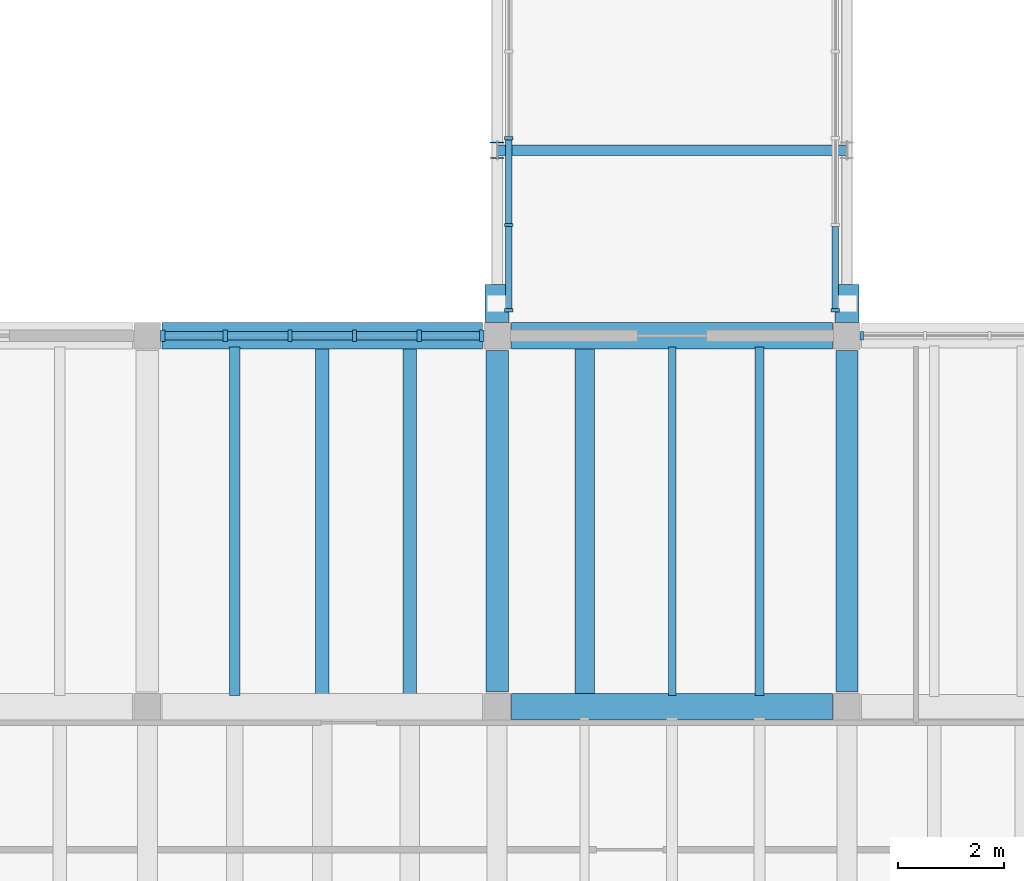
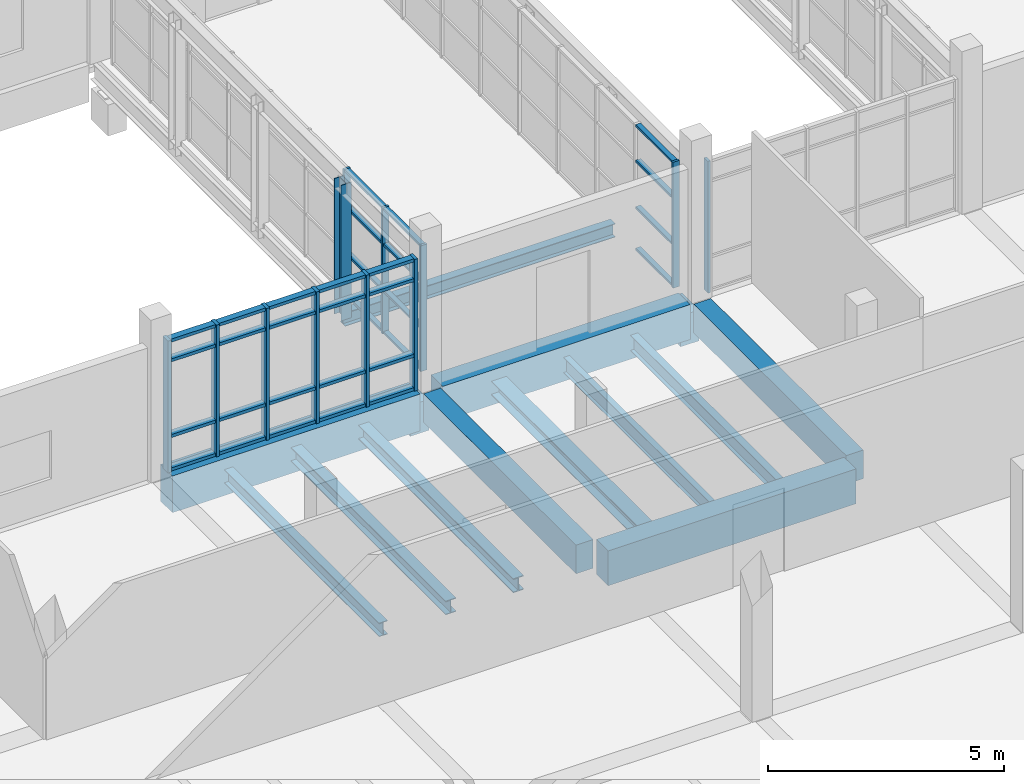
# One storey, part 17 of 65: 44 members, 14 beams, 4 elements without a shape of their own.
"""IFC4 building model written with IfcOpenShell, lengths in metres."""

from ifc_helpers import new_model, si_unit, direction, frame, origin, origin_2d, place, context, subcontext, project, spatial, rectangle, i_section, extrude, material, material_profile, profile_set, type_object, element, aggregate, save


model = new_model("IFC4")

# Units and contexts
model_context = context("Model", 3, precision=1e-05, world=origin(), true_north=direction((0.0, 1.0)))
body_context = subcontext(model_context, "Body", "Model", "MODEL_VIEW")
ifc_project = project(units=[si_unit("LENGTHUNIT", "METRE"), si_unit("AREAUNIT", "SQUARE_METRE"), si_unit("VOLUMEUNIT", "CUBIC_METRE"), si_unit("PLANEANGLEUNIT", "RADIAN"), si_unit("MASSUNIT", "GRAM", prefix="KILO")], contexts=[model_context])

# Site, building, storey
site_placement = place(None, origin())
site = spatial("IfcSite", under=ifc_project, at=site_placement, CompositionType="ELEMENT")
building_placement = place(site_placement, origin())
building = spatial("IfcBuilding", under=site, at=building_placement, Name="Ciguamira Faculty of Natural Sciences", CompositionType="ELEMENT")
storey_placement = place(building_placement, frame((0.0, 0.0, 12.60009765625)))
storey = spatial("IfcBuildingStorey", under=building, at=storey_placement, Name="L03", CompositionType="ELEMENT", Elevation=12.60009765625)

# Curtain wall, member
ifc_material_1 = material(Name="Anodized aluminium curtain wall", Category="aluminium")
curtain_wall_type_1 = type_object("IfcCurtainWallType", Name="CurtainWall_CW-07", PredefinedType="USERDEFINED", material=ifc_material_1)
curtain_wall_1_placement = place(storey_placement, origin())
curtain_wall_1 = element("IfcCurtainWall", 1, at=curtain_wall_1_placement, inside=storey, type_object=curtain_wall_type_1, Name="L03 unitised curtain wall 0091", ObjectType="UNITISED CURTAIN WALL", PredefinedType="USERDEFINED")
ifc_material_2 = material(Name="Anodized aluminium mullion", Category="aluminium")
ifc_material_profile_1 = material_profile(ifc_material_2, rectangle(XDim=0.06005859375, YDim=0.159912109375, at=origin_2d()), Name="ALU-MUL-60X160")
ifc_profile_set_1 = profile_set([ifc_material_profile_1], Name="Anodized aluminium mullion")
member_type_1 = type_object("IfcMemberType", Name="CWMullion_CWM-01", PredefinedType="MULLION", material=ifc_profile_set_1)
member_1_placement = place(storey_placement, frame((83.97998046875, 59.0, 0.0), z_axis=(0.0, 0.0, 1.0), x_axis=(1.0, 0.0, 0.0)))
member_1 = element("IfcMember", 2, at=member_1_placement, type_object=member_type_1, Name="CW-07 mullion 1", PredefinedType="MULLION", context=body_context, shape_type="SweptSolid", body=[
    extrude(rectangle(XDim=0.06005859375, YDim=0.159912109375, at=origin_2d()), origin(), (0.0, 0.0, 1.0), 3.40478515625),
])
aggregate(curtain_wall_1, [member_1])

# Curtain wall, members
curtain_wall_type_2 = type_object("IfcCurtainWallType", Name="CurtainWall_CW-10", PredefinedType="USERDEFINED", material=ifc_material_1)
curtain_wall_2_placement = place(storey_placement, origin())
curtain_wall_2 = element("IfcCurtainWall", 3, at=curtain_wall_2_placement, inside=storey, type_object=curtain_wall_type_2, Name="Link bridge BR-3 glazed curtain wall W", ObjectType="UNITISED CURTAIN WALL", PredefinedType="USERDEFINED")
member_2_placement = place(storey_placement, frame((77.320068359375, 59.47998046875, 0.0), z_axis=(0.0, 0.0, 1.0), x_axis=(0.0, 1.0, 0.0)))
member_2 = element("IfcMember", 4, at=member_2_placement, type_object=member_type_1, Name="CW-10 mullion 1", PredefinedType="MULLION", context=body_context, shape_type="SweptSolid", body=[
    extrude(rectangle(XDim=0.06005859375, YDim=0.159912109375, at=origin_2d()), origin(), (0.0, 0.0, 1.0), 3.25),
])
member_3_placement = place(storey_placement, frame((77.320068359375, 61.08740234375, 0.0), z_axis=(0.0, 0.0, 1.0), x_axis=(0.0, 1.0, 0.0)))
member_3 = element("IfcMember", 5, at=member_3_placement, type_object=member_type_1, Name="CW-10 mullion 2", PredefinedType="MULLION", context=body_context, shape_type="SweptSolid", body=[
    extrude(rectangle(XDim=0.06005859375, YDim=0.159912109375, at=origin_2d()), origin(), (0.0, 0.0, 1.0), 3.25),
])
member_4_placement = place(storey_placement, frame((77.320068359375, 62.72509765625, 0.0), z_axis=(0.0, 0.0, 1.0), x_axis=(0.0, 1.0, 0.0)))
member_4 = element("IfcMember", 6, at=member_4_placement, type_object=member_type_1, Name="CW-10 mullion 3", PredefinedType="MULLION", context=body_context, shape_type="SweptSolid", body=[
    extrude(rectangle(XDim=0.06005859375, YDim=0.159912109375, at=origin_2d()), origin(), (0.0, 0.0, 1.0), 3.25),
])

# Curtain wall, member
curtain_wall_type_3 = type_object("IfcCurtainWallType", Name="CurtainWall_CW-11", PredefinedType="USERDEFINED", material=ifc_material_1)
curtain_wall_3_placement = place(storey_placement, origin())
curtain_wall_3 = element("IfcCurtainWall", 7, at=curtain_wall_3_placement, inside=storey, type_object=curtain_wall_type_3, Name="Link bridge BR-3 glazed curtain wall E", ObjectType="UNITISED CURTAIN WALL", PredefinedType="USERDEFINED")
member_5_placement = place(storey_placement, frame((83.47998046875, 59.47998046875, 0.0), z_axis=(0.0, 0.0, 1.0), x_axis=(0.0, 1.0, 0.0)))
member_5 = element("IfcMember", 8, at=member_5_placement, type_object=member_type_1, Name="CW-11 mullion 1", PredefinedType="MULLION", context=body_context, shape_type="SweptSolid", body=[
    extrude(rectangle(XDim=0.06005859375, YDim=0.159912109375, at=origin_2d()), origin(), (0.0, 0.0, 1.0), 3.25),
])

# Curtain wall, members
curtain_wall_type_4 = type_object("IfcCurtainWallType", Name="CurtainWall_CW-06", PredefinedType="USERDEFINED", material=ifc_material_1)
curtain_wall_4_placement = place(storey_placement, origin())
curtain_wall_4 = element("IfcCurtainWall", 9, at=curtain_wall_4_placement, inside=storey, type_object=curtain_wall_type_4, Name="L03 unitised curtain wall 0090", ObjectType="UNITISED CURTAIN WALL", PredefinedType="USERDEFINED")
ifc_material_profile_2 = material_profile(ifc_material_2, rectangle(XDim=0.080078125, YDim=0.219970703125, at=origin_2d()), Name="ALU-MUL-80X220")
ifc_profile_set_2 = profile_set([ifc_material_profile_2], Name="Anodized aluminium mullion")
member_type_2 = type_object("IfcMemberType", Name="CWMullion_CWM-03", PredefinedType="MULLION", material=ifc_profile_set_2)
member_6_placement = place(storey_placement, frame((70.7900390625, 59.0, 0.0), z_axis=(0.0, 0.0, 1.0), x_axis=(1.0, 0.0, 0.0)))
member_6 = element("IfcMember", 10, at=member_6_placement, type_object=member_type_2, Name="CW-06 mullion 1", PredefinedType="MULLION", context=body_context, shape_type="SweptSolid", body=[
    extrude(rectangle(XDim=0.080078125, YDim=0.219970703125, at=origin_2d()), origin(), (0.0, 0.0, 1.0), 3.40478515625),
])
member_7_placement = place(storey_placement, frame((71.969970703125, 59.0, 0.0), z_axis=(0.0, 0.0, 1.0), x_axis=(1.0, 0.0, 0.0)))
member_7 = element("IfcMember", 11, at=member_7_placement, type_object=member_type_2, Name="CW-06 mullion 2", PredefinedType="MULLION", context=body_context, shape_type="SweptSolid", body=[
    extrude(rectangle(XDim=0.080078125, YDim=0.219970703125, at=origin_2d()), origin(), (0.0, 0.0, 1.0), 3.40478515625),
])
member_8_placement = place(storey_placement, frame((73.18994140625, 59.0, 0.0), z_axis=(0.0, 0.0, 1.0), x_axis=(1.0, 0.0, 0.0)))
member_8 = element("IfcMember", 12, at=member_8_placement, type_object=member_type_2, Name="CW-06 mullion 3", PredefinedType="MULLION", context=body_context, shape_type="SweptSolid", body=[
    extrude(rectangle(XDim=0.080078125, YDim=0.219970703125, at=origin_2d()), origin(), (0.0, 0.0, 1.0), 3.40478515625),
])
member_9_placement = place(storey_placement, frame((74.409912109375, 59.0, 0.0), z_axis=(0.0, 0.0, 1.0), x_axis=(1.0, 0.0, 0.0)))
member_9 = element("IfcMember", 13, at=member_9_placement, type_object=member_type_2, Name="CW-06 mullion 4", PredefinedType="MULLION", context=body_context, shape_type="SweptSolid", body=[
    extrude(rectangle(XDim=0.080078125, YDim=0.219970703125, at=origin_2d()), origin(), (0.0, 0.0, 1.0), 3.40478515625),
])
member_10_placement = place(storey_placement, frame((75.6298828125, 59.0, 0.0), z_axis=(0.0, 0.0, 1.0), x_axis=(1.0, 0.0, 0.0)))
member_10 = element("IfcMember", 14, at=member_10_placement, type_object=member_type_2, Name="CW-06 mullion 5", PredefinedType="MULLION", context=body_context, shape_type="SweptSolid", body=[
    extrude(rectangle(XDim=0.080078125, YDim=0.219970703125, at=origin_2d()), origin(), (0.0, 0.0, 1.0), 3.40478515625),
])
member_11_placement = place(storey_placement, frame((76.81005859375, 59.0, 0.0), z_axis=(0.0, 0.0, 1.0), x_axis=(1.0, 0.0, 0.0)))
member_11 = element("IfcMember", 15, at=member_11_placement, type_object=member_type_2, Name="CW-06 mullion 6", PredefinedType="MULLION", context=body_context, shape_type="SweptSolid", body=[
    extrude(rectangle(XDim=0.080078125, YDim=0.219970703125, at=origin_2d()), origin(), (0.0, 0.0, 1.0), 3.40478515625),
])

# Member
ifc_material_3 = material(Name="Anodized aluminium transom", Category="aluminium")
ifc_material_profile_3 = material_profile(ifc_material_3, rectangle(XDim=0.06005859375, YDim=0.1201171875, at=origin_2d()), Name="ALU-TRN-60X120")
ifc_profile_set_3 = profile_set([ifc_material_profile_3], Name="Anodized aluminium transom")
member_type_3 = type_object("IfcMemberType", Name="CWTransom_CWT-01", PredefinedType="USERDEFINED", material=ifc_profile_set_3)
member_12_placement = place(storey_placement, frame((77.320068359375, 59.510009765625, 0.02978515625), z_axis=(0.0, 1.0, 0.0), x_axis=(0.0, 0.0, 1.0)))
member_12 = element("IfcMember", 16, at=member_12_placement, type_object=member_type_3, Name="CW-10 transom 1.1", ObjectType="TRANSOM", PredefinedType="USERDEFINED", context=body_context, shape_type="SweptSolid", body=[
    extrude(rectangle(XDim=0.06005859375, YDim=0.1201171875, at=origin_2d()), origin(), (0.0, 0.0, 1.0), 1.547607421875),
])

member_13_placement = place(storey_placement, frame((77.320068359375, 59.510009765625, 1.099853515625), z_axis=(0.0, 1.0, 0.0), x_axis=(0.0, 0.0, 1.0)))
member_13 = element("IfcMember", 17, at=member_13_placement, type_object=member_type_3, Name="CW-10 transom 1.2", ObjectType="TRANSOM", PredefinedType="USERDEFINED", context=body_context, shape_type="SweptSolid", body=[
    extrude(rectangle(XDim=0.06005859375, YDim=0.1201171875, at=origin_2d()), origin(), (0.0, 0.0, 1.0), 1.547607421875),
])

member_14_placement = place(storey_placement, frame((77.320068359375, 59.510009765625, 2.2998046875), z_axis=(0.0, 1.0, 0.0), x_axis=(0.0, 0.0, 1.0)))
member_14 = element("IfcMember", 18, at=member_14_placement, type_object=member_type_3, Name="CW-10 transom 1.3", ObjectType="TRANSOM", PredefinedType="USERDEFINED", context=body_context, shape_type="SweptSolid", body=[
    extrude(rectangle(XDim=0.06005859375, YDim=0.1201171875, at=origin_2d()), origin(), (0.0, 0.0, 1.0), 1.547607421875),
])

member_15_placement = place(storey_placement, frame((77.320068359375, 59.510009765625, 3.219970703125), z_axis=(0.0, 1.0, 0.0), x_axis=(0.0, 0.0, 1.0)))
member_15 = element("IfcMember", 19, at=member_15_placement, type_object=member_type_3, Name="CW-10 transom 1.4", ObjectType="TRANSOM", PredefinedType="USERDEFINED", context=body_context, shape_type="SweptSolid", body=[
    extrude(rectangle(XDim=0.06005859375, YDim=0.1201171875, at=origin_2d()), origin(), (0.0, 0.0, 1.0), 1.547607421875),
])

member_16_placement = place(storey_placement, frame((77.320068359375, 61.117431640625, 0.02978515625), z_axis=(0.0, 1.0, 0.0), x_axis=(0.0, 0.0, 1.0)))
member_16 = element("IfcMember", 20, at=member_16_placement, type_object=member_type_3, Name="CW-10 transom 2.1", ObjectType="TRANSOM", PredefinedType="USERDEFINED", context=body_context, shape_type="SweptSolid", body=[
    extrude(rectangle(XDim=0.06005859375, YDim=0.1201171875, at=origin_2d()), origin(), (0.0, 0.0, 1.0), 1.57763671875),
])

member_17_placement = place(storey_placement, frame((77.320068359375, 61.117431640625, 1.099853515625), z_axis=(0.0, 1.0, 0.0), x_axis=(0.0, 0.0, 1.0)))
member_17 = element("IfcMember", 21, at=member_17_placement, type_object=member_type_3, Name="CW-10 transom 2.2", ObjectType="TRANSOM", PredefinedType="USERDEFINED", context=body_context, shape_type="SweptSolid", body=[
    extrude(rectangle(XDim=0.06005859375, YDim=0.1201171875, at=origin_2d()), origin(), (0.0, 0.0, 1.0), 1.57763671875),
])

member_18_placement = place(storey_placement, frame((77.320068359375, 61.117431640625, 2.2998046875), z_axis=(0.0, 1.0, 0.0), x_axis=(0.0, 0.0, 1.0)))
member_18 = element("IfcMember", 22, at=member_18_placement, type_object=member_type_3, Name="CW-10 transom 2.3", ObjectType="TRANSOM", PredefinedType="USERDEFINED", context=body_context, shape_type="SweptSolid", body=[
    extrude(rectangle(XDim=0.06005859375, YDim=0.1201171875, at=origin_2d()), origin(), (0.0, 0.0, 1.0), 1.57763671875),
])

member_19_placement = place(storey_placement, frame((77.320068359375, 61.117431640625, 3.219970703125), z_axis=(0.0, 1.0, 0.0), x_axis=(0.0, 0.0, 1.0)))
member_19 = element("IfcMember", 23, at=member_19_placement, type_object=member_type_3, Name="CW-10 transom 2.4", ObjectType="TRANSOM", PredefinedType="USERDEFINED", context=body_context, shape_type="SweptSolid", body=[
    extrude(rectangle(XDim=0.06005859375, YDim=0.1201171875, at=origin_2d()), origin(), (0.0, 0.0, 1.0), 1.57763671875),
])

aggregate(curtain_wall_2, [member_2, member_3, member_4, member_12, member_13, member_14, member_15, member_16, member_17, member_18, member_19])

member_20_placement = place(storey_placement, frame((83.47998046875, 59.510009765625, 0.02978515625), z_axis=(0.0, 1.0, 0.0), x_axis=(0.0, 0.0, 1.0)))
member_20 = element("IfcMember", 24, at=member_20_placement, type_object=member_type_3, Name="CW-11 transom 1.1", ObjectType="TRANSOM", PredefinedType="USERDEFINED", context=body_context, shape_type="SweptSolid", body=[
    extrude(rectangle(XDim=0.06005859375, YDim=0.1201171875, at=origin_2d()), origin(), (0.0, 0.0, 1.0), 1.547607421875),
])

member_21_placement = place(storey_placement, frame((83.47998046875, 59.510009765625, 1.099853515625), z_axis=(0.0, 1.0, 0.0), x_axis=(0.0, 0.0, 1.0)))
member_21 = element("IfcMember", 25, at=member_21_placement, type_object=member_type_3, Name="CW-11 transom 1.2", ObjectType="TRANSOM", PredefinedType="USERDEFINED", context=body_context, shape_type="SweptSolid", body=[
    extrude(rectangle(XDim=0.06005859375, YDim=0.1201171875, at=origin_2d()), origin(), (0.0, 0.0, 1.0), 1.547607421875),
])

member_22_placement = place(storey_placement, frame((83.47998046875, 59.510009765625, 2.2998046875), z_axis=(0.0, 1.0, 0.0), x_axis=(0.0, 0.0, 1.0)))
member_22 = element("IfcMember", 26, at=member_22_placement, type_object=member_type_3, Name="CW-11 transom 1.3", ObjectType="TRANSOM", PredefinedType="USERDEFINED", context=body_context, shape_type="SweptSolid", body=[
    extrude(rectangle(XDim=0.06005859375, YDim=0.1201171875, at=origin_2d()), origin(), (0.0, 0.0, 1.0), 1.547607421875),
])

member_23_placement = place(storey_placement, frame((83.47998046875, 59.510009765625, 3.219970703125), z_axis=(0.0, 1.0, 0.0), x_axis=(0.0, 0.0, 1.0)))
member_23 = element("IfcMember", 27, at=member_23_placement, type_object=member_type_3, Name="CW-11 transom 1.4", ObjectType="TRANSOM", PredefinedType="USERDEFINED", context=body_context, shape_type="SweptSolid", body=[
    extrude(rectangle(XDim=0.06005859375, YDim=0.1201171875, at=origin_2d()), origin(), (0.0, 0.0, 1.0), 1.547607421875),
])

aggregate(curtain_wall_3, [member_5, member_20, member_21, member_22, member_23])

ifc_material_profile_4 = material_profile(ifc_material_3, rectangle(XDim=0.080078125, YDim=0.159912109375, at=origin_2d()), Name="ALU-TRN-80X160")
ifc_profile_set_4 = profile_set([ifc_material_profile_4], Name="Anodized aluminium transom")
member_type_4 = type_object("IfcMemberType", Name="CWTransom_CWT-03", PredefinedType="USERDEFINED", material=ifc_profile_set_4)
member_24_placement = place(storey_placement, frame((70.830078125, 59.0, 0.039794921875), z_axis=(1.0, 0.0, 0.0), x_axis=(0.0, 0.0, 1.0)))
member_24 = element("IfcMember", 28, at=member_24_placement, type_object=member_type_4, Name="CW-06 transom 1.1", ObjectType="TRANSOM", PredefinedType="USERDEFINED", context=body_context, shape_type="SweptSolid", body=[
    extrude(rectangle(XDim=0.080078125, YDim=0.159912109375, at=origin_2d()), origin(), (0.0, 0.0, 1.0), 1.099853515625),
])

member_25_placement = place(storey_placement, frame((70.830078125, 59.0, 0.89990234375), z_axis=(1.0, 0.0, 0.0), x_axis=(0.0, 0.0, 1.0)))
member_25 = element("IfcMember", 29, at=member_25_placement, type_object=member_type_4, Name="CW-06 transom 1.2", ObjectType="TRANSOM", PredefinedType="USERDEFINED", context=body_context, shape_type="SweptSolid", body=[
    extrude(rectangle(XDim=0.080078125, YDim=0.159912109375, at=origin_2d()), origin(), (0.0, 0.0, 1.0), 1.099853515625),
])

member_26_placement = place(storey_placement, frame((70.830078125, 59.0, 2.85498046875), z_axis=(1.0, 0.0, 0.0), x_axis=(0.0, 0.0, 1.0)))
member_26 = element("IfcMember", 30, at=member_26_placement, type_object=member_type_4, Name="CW-06 transom 1.3", ObjectType="TRANSOM", PredefinedType="USERDEFINED", context=body_context, shape_type="SweptSolid", body=[
    extrude(rectangle(XDim=0.080078125, YDim=0.159912109375, at=origin_2d()), origin(), (0.0, 0.0, 1.0), 1.099853515625),
])

member_27_placement = place(storey_placement, frame((70.830078125, 59.0, 3.364990234375), z_axis=(1.0, 0.0, 0.0), x_axis=(0.0, 0.0, 1.0)))
member_27 = element("IfcMember", 31, at=member_27_placement, type_object=member_type_4, Name="CW-06 transom 1.4", ObjectType="TRANSOM", PredefinedType="USERDEFINED", context=body_context, shape_type="SweptSolid", body=[
    extrude(rectangle(XDim=0.080078125, YDim=0.159912109375, at=origin_2d()), origin(), (0.0, 0.0, 1.0), 1.099853515625),
])

member_28_placement = place(storey_placement, frame((72.010009765625, 59.0, 0.039794921875), z_axis=(1.0, 0.0, 0.0), x_axis=(0.0, 0.0, 1.0)))
member_28 = element("IfcMember", 32, at=member_28_placement, type_object=member_type_4, Name="CW-06 transom 2.1", ObjectType="TRANSOM", PredefinedType="USERDEFINED", context=body_context, shape_type="SweptSolid", body=[
    extrude(rectangle(XDim=0.080078125, YDim=0.159912109375, at=origin_2d()), origin(), (0.0, 0.0, 1.0), 1.139892578125),
])

member_29_placement = place(storey_placement, frame((72.010009765625, 59.0, 0.89990234375), z_axis=(1.0, 0.0, 0.0), x_axis=(0.0, 0.0, 1.0)))
member_29 = element("IfcMember", 33, at=member_29_placement, type_object=member_type_4, Name="CW-06 transom 2.2", ObjectType="TRANSOM", PredefinedType="USERDEFINED", context=body_context, shape_type="SweptSolid", body=[
    extrude(rectangle(XDim=0.080078125, YDim=0.159912109375, at=origin_2d()), origin(), (0.0, 0.0, 1.0), 1.139892578125),
])

member_30_placement = place(storey_placement, frame((72.010009765625, 59.0, 2.85498046875), z_axis=(1.0, 0.0, 0.0), x_axis=(0.0, 0.0, 1.0)))
member_30 = element("IfcMember", 34, at=member_30_placement, type_object=member_type_4, Name="CW-06 transom 2.3", ObjectType="TRANSOM", PredefinedType="USERDEFINED", context=body_context, shape_type="SweptSolid", body=[
    extrude(rectangle(XDim=0.080078125, YDim=0.159912109375, at=origin_2d()), origin(), (0.0, 0.0, 1.0), 1.139892578125),
])

member_31_placement = place(storey_placement, frame((72.010009765625, 59.0, 3.364990234375), z_axis=(1.0, 0.0, 0.0), x_axis=(0.0, 0.0, 1.0)))
member_31 = element("IfcMember", 35, at=member_31_placement, type_object=member_type_4, Name="CW-06 transom 2.4", ObjectType="TRANSOM", PredefinedType="USERDEFINED", context=body_context, shape_type="SweptSolid", body=[
    extrude(rectangle(XDim=0.080078125, YDim=0.159912109375, at=origin_2d()), origin(), (0.0, 0.0, 1.0), 1.139892578125),
])

member_32_placement = place(storey_placement, frame((73.22998046875, 59.0, 0.039794921875), z_axis=(1.0, 0.0, 0.0), x_axis=(0.0, 0.0, 1.0)))
member_32 = element("IfcMember", 36, at=member_32_placement, type_object=member_type_4, Name="CW-06 transom 3.1", ObjectType="TRANSOM", PredefinedType="USERDEFINED", context=body_context, shape_type="SweptSolid", body=[
    extrude(rectangle(XDim=0.080078125, YDim=0.159912109375, at=origin_2d()), origin(), (0.0, 0.0, 1.0), 1.14013671875),
])

member_33_placement = place(storey_placement, frame((73.22998046875, 59.0, 0.89990234375), z_axis=(1.0, 0.0, 0.0), x_axis=(0.0, 0.0, 1.0)))
member_33 = element("IfcMember", 37, at=member_33_placement, type_object=member_type_4, Name="CW-06 transom 3.2", ObjectType="TRANSOM", PredefinedType="USERDEFINED", context=body_context, shape_type="SweptSolid", body=[
    extrude(rectangle(XDim=0.080078125, YDim=0.159912109375, at=origin_2d()), origin(), (0.0, 0.0, 1.0), 1.14013671875),
])

member_34_placement = place(storey_placement, frame((73.22998046875, 59.0, 2.85498046875), z_axis=(1.0, 0.0, 0.0), x_axis=(0.0, 0.0, 1.0)))
member_34 = element("IfcMember", 38, at=member_34_placement, type_object=member_type_4, Name="CW-06 transom 3.3", ObjectType="TRANSOM", PredefinedType="USERDEFINED", context=body_context, shape_type="SweptSolid", body=[
    extrude(rectangle(XDim=0.080078125, YDim=0.159912109375, at=origin_2d()), origin(), (0.0, 0.0, 1.0), 1.14013671875),
])

member_35_placement = place(storey_placement, frame((73.22998046875, 59.0, 3.364990234375), z_axis=(1.0, 0.0, 0.0), x_axis=(0.0, 0.0, 1.0)))
member_35 = element("IfcMember", 39, at=member_35_placement, type_object=member_type_4, Name="CW-06 transom 3.4", ObjectType="TRANSOM", PredefinedType="USERDEFINED", context=body_context, shape_type="SweptSolid", body=[
    extrude(rectangle(XDim=0.080078125, YDim=0.159912109375, at=origin_2d()), origin(), (0.0, 0.0, 1.0), 1.14013671875),
])

member_36_placement = place(storey_placement, frame((74.449951171875, 59.0, 0.039794921875), z_axis=(1.0, 0.0, 0.0), x_axis=(0.0, 0.0, 1.0)))
member_36 = element("IfcMember", 40, at=member_36_placement, type_object=member_type_4, Name="CW-06 transom 4.1", ObjectType="TRANSOM", PredefinedType="USERDEFINED", context=body_context, shape_type="SweptSolid", body=[
    extrude(rectangle(XDim=0.080078125, YDim=0.159912109375, at=origin_2d()), origin(), (0.0, 0.0, 1.0), 1.14013671875),
])

member_37_placement = place(storey_placement, frame((74.449951171875, 59.0, 0.89990234375), z_axis=(1.0, 0.0, 0.0), x_axis=(0.0, 0.0, 1.0)))
member_37 = element("IfcMember", 41, at=member_37_placement, type_object=member_type_4, Name="CW-06 transom 4.2", ObjectType="TRANSOM", PredefinedType="USERDEFINED", context=body_context, shape_type="SweptSolid", body=[
    extrude(rectangle(XDim=0.080078125, YDim=0.159912109375, at=origin_2d()), origin(), (0.0, 0.0, 1.0), 1.14013671875),
])

member_38_placement = place(storey_placement, frame((74.449951171875, 59.0, 2.85498046875), z_axis=(1.0, 0.0, 0.0), x_axis=(0.0, 0.0, 1.0)))
member_38 = element("IfcMember", 42, at=member_38_placement, type_object=member_type_4, Name="CW-06 transom 4.3", ObjectType="TRANSOM", PredefinedType="USERDEFINED", context=body_context, shape_type="SweptSolid", body=[
    extrude(rectangle(XDim=0.080078125, YDim=0.159912109375, at=origin_2d()), origin(), (0.0, 0.0, 1.0), 1.14013671875),
])

member_39_placement = place(storey_placement, frame((74.449951171875, 59.0, 3.364990234375), z_axis=(1.0, 0.0, 0.0), x_axis=(0.0, 0.0, 1.0)))
member_39 = element("IfcMember", 43, at=member_39_placement, type_object=member_type_4, Name="CW-06 transom 4.4", ObjectType="TRANSOM", PredefinedType="USERDEFINED", context=body_context, shape_type="SweptSolid", body=[
    extrude(rectangle(XDim=0.080078125, YDim=0.159912109375, at=origin_2d()), origin(), (0.0, 0.0, 1.0), 1.14013671875),
])

member_40_placement = place(storey_placement, frame((75.669921875, 59.0, 0.039794921875), z_axis=(1.0, 0.0, 0.0), x_axis=(0.0, 0.0, 1.0)))
member_40 = element("IfcMember", 44, at=member_40_placement, type_object=member_type_4, Name="CW-06 transom 5.1", ObjectType="TRANSOM", PredefinedType="USERDEFINED", context=body_context, shape_type="SweptSolid", body=[
    extrude(rectangle(XDim=0.080078125, YDim=0.159912109375, at=origin_2d()), origin(), (0.0, 0.0, 1.0), 1.10009765625),
])

member_41_placement = place(storey_placement, frame((75.669921875, 59.0, 0.89990234375), z_axis=(1.0, 0.0, 0.0), x_axis=(0.0, 0.0, 1.0)))
member_41 = element("IfcMember", 45, at=member_41_placement, type_object=member_type_4, Name="CW-06 transom 5.2", ObjectType="TRANSOM", PredefinedType="USERDEFINED", context=body_context, shape_type="SweptSolid", body=[
    extrude(rectangle(XDim=0.080078125, YDim=0.159912109375, at=origin_2d()), origin(), (0.0, 0.0, 1.0), 1.10009765625),
])

member_42_placement = place(storey_placement, frame((75.669921875, 59.0, 2.85498046875), z_axis=(1.0, 0.0, 0.0), x_axis=(0.0, 0.0, 1.0)))
member_42 = element("IfcMember", 46, at=member_42_placement, type_object=member_type_4, Name="CW-06 transom 5.3", ObjectType="TRANSOM", PredefinedType="USERDEFINED", context=body_context, shape_type="SweptSolid", body=[
    extrude(rectangle(XDim=0.080078125, YDim=0.159912109375, at=origin_2d()), origin(), (0.0, 0.0, 1.0), 1.10009765625),
])

member_43_placement = place(storey_placement, frame((75.669921875, 59.0, 3.364990234375), z_axis=(1.0, 0.0, 0.0), x_axis=(0.0, 0.0, 1.0)))
member_43 = element("IfcMember", 47, at=member_43_placement, type_object=member_type_4, Name="CW-06 transom 5.4", ObjectType="TRANSOM", PredefinedType="USERDEFINED", context=body_context, shape_type="SweptSolid", body=[
    extrude(rectangle(XDim=0.080078125, YDim=0.159912109375, at=origin_2d()), origin(), (0.0, 0.0, 1.0), 1.10009765625),
])

aggregate(curtain_wall_4, [member_6, member_7, member_8, member_9, member_10, member_11, member_24, member_25, member_26, member_27, member_28, member_29, member_30, member_31, member_32, member_33, member_34, member_35, member_36, member_37, member_38, member_39, member_40, member_41, member_42, member_43])

# Beams
ifc_material_4 = material(Name="Concrete C40/50", Category="concrete")
ifc_material_profile_5 = material_profile(ifc_material_4, rectangle(XDim=0.5, YDim=0.949951171875, at=origin_2d()), Name="RC-BM-500X950")
ifc_profile_set_5 = profile_set([ifc_material_profile_5], Name="Concrete C40/50")
beam_type_1 = type_object("IfcBeamType", Name="RCBeam_BG-02_RC-BM-500X950", PredefinedType="BEAM", material=ifc_profile_set_5)
beam_1_placement = place(storey_placement, frame((70.77490234375, 59.0, -0.47509765625), z_axis=(1.0, 0.0, 0.0), x_axis=(0.0, 1.0, 0.0)))
element("IfcBeam", 48, at=beam_1_placement, inside=storey, type_object=beam_type_1, Name="L03 RC girder EW-1111", PredefinedType="BEAM", context=body_context, shape_type="SweptSolid", body=[
    extrude(rectangle(XDim=0.5, YDim=0.949951171875, at=origin_2d()), origin(), (0.0, 0.0, 1.0), 6.050048828125),
])
ifc_material_profile_6 = material_profile(ifc_material_4, rectangle(XDim=0.5, YDim=0.89990234375, at=origin_2d()), Name="RC-BM-500X900")
ifc_profile_set_6 = profile_set([ifc_material_profile_6], Name="Concrete C40/50")
beam_type_2 = type_object("IfcBeamType", Name="RCBeam_BG-03_RC-BM-500X900", PredefinedType="BEAM", material=ifc_profile_set_6)
for number, where, z_axis, x_axis, name in (
    (49, (77.375, 52.0, -0.4501953125), (1.0, 0.0, 0.0), (0.0, 1.0, 0.0), "L03 RC girder EW-1103"),
    (50, (77.375, 59.0, -0.4501953125), (1.0, 0.0, 0.0), (0.0, 1.0, 0.0), "L03 RC girder EW-1112"),
):
    element("IfcBeam", number, at=place(storey_placement, frame(where, z_axis=z_axis, x_axis=x_axis)), inside=storey, type_object=beam_type_2, Name=name, PredefinedType="BEAM", context=body_context, shape_type="SweptSolid", body=[
        extrude(rectangle(XDim=0.5, YDim=0.89990234375, at=origin_2d()), origin(), (0.0, 0.0, 1.0), 6.050048828125),
    ])
ifc_material_profile_7 = material_profile(ifc_material_4, rectangle(XDim=0.449951171875, YDim=0.800048828125, at=origin_2d()), Name="RC-BM-450X800")
ifc_profile_set_7 = profile_set([ifc_material_profile_7], Name="Concrete C40/50")
beam_type_3 = type_object("IfcBeamType", Name="RCBeam_BG-05_RC-BM-450X800", PredefinedType="BEAM", material=ifc_profile_set_7)
for number, where, z_axis, x_axis, name in (
    (51, (77.10009765625, 59.25, -1.015869140625), (0.0, 1.0, 0.0), (-1.0, 0.0, 0.0), "Link bridge BR-3 fixed south RC corbel seat 1"),
    (52, (83.699951171875, 59.25, -1.015869140625), (0.0, 1.0, 0.0), (-1.0, 0.0, 0.0), "Link bridge BR-3 fixed south RC corbel seat 2"),
):
    element("IfcBeam", number, at=place(storey_placement, frame(where, z_axis=z_axis, x_axis=x_axis)), inside=storey, type_object=beam_type_3, Name=name, PredefinedType="BEAM", context=body_context, shape_type="SweptSolid", body=[
        extrude(rectangle(XDim=0.449951171875, YDim=0.800048828125, at=origin_2d()), origin(), (0.0, 0.0, 1.0), 0.719970703125),
    ])
ifc_material_profile_8 = material_profile(ifc_material_4, rectangle(XDim=0.419921875, YDim=0.739990234375, at=origin_2d()), Name="RC-BM-420X740")
ifc_profile_set_8 = profile_set([ifc_material_profile_8], Name="Concrete C40/50")
beam_type_4 = type_object("IfcBeamType", Name="RCBeam_BG-07_RC-BM-420X740", PredefinedType="BEAM", material=ifc_profile_set_8)
for number, where, z_axis, x_axis, name in (
    (53, (77.10009765625, 52.27490234375, -0.3701171875), (0.0, 1.0, 0.0), (-1.0, 0.0, 0.0), "L03 girder NS-1245"),
    (54, (83.699951171875, 52.27490234375, -0.3701171875), (0.0, 1.0, 0.0), (-1.0, 0.0, 0.0), "L03 girder NS-1255"),
):
    element("IfcBeam", number, at=place(storey_placement, frame(where, z_axis=z_axis, x_axis=x_axis)), inside=storey, type_object=beam_type_4, Name=name, PredefinedType="BEAM", context=body_context, shape_type="SweptSolid", body=[
        extrude(rectangle(XDim=0.419921875, YDim=0.739990234375, at=origin_2d()), origin(), (0.0, 0.0, 1.0), 6.4501953125),
    ])
ifc_material_5 = material(Name="Steel ASTM A992 Grade 50", Category="steel")
ifc_material_profile_9 = material_profile(ifc_material_5, i_section(OverallWidth=0.203125, OverallDepth=0.347900390625, WebThickness=0.0078125, FlangeThickness=0.013427734375, at=origin_2d()), Name="W14X43")
ifc_profile_set_9 = profile_set([ifc_material_profile_9], Name="Steel ASTM A992 Grade 50")
beam_type_5 = type_object("IfcBeamType", Name="SteelJoist_SJ-12_W14X43", PredefinedType="JOIST", material=ifc_profile_set_9)
beam_2_placement = place(storey_placement, frame((77.10009765625, 62.5, -0.39404296875), z_axis=(1.0, 0.0, 0.0), x_axis=(0.0, 1.0, 0.0)))
element("IfcBeam", 55, at=beam_2_placement, inside=storey, type_object=beam_type_5, Name="Link bridge BR-3 floor crossbeam 1", PredefinedType="JOIST", context=body_context, shape_type="SweptSolid", body=[
    extrude(i_section(OverallWidth=0.203125, OverallDepth=0.347900390625, WebThickness=0.0078125, FlangeThickness=0.013427734375, at=origin_2d()), origin(), (0.0, 0.0, 1.0), 6.599853515625),
])
ifc_material_profile_10 = material_profile(ifc_material_5, i_section(OverallWidth=0.204833984375, OverallDepth=0.35302734375, WebThickness=0.00927734375, FlangeThickness=0.016845703125, at=origin_2d()), Name="W14X53")
ifc_profile_set_10 = profile_set([ifc_material_profile_10], Name="Steel ASTM A992 Grade 50")
beam_type_6 = type_object("IfcBeamType", Name="SteelJoist_SJ-13_W14X53", PredefinedType="JOIST", material=ifc_profile_set_10)
beam_3_placement = place(storey_placement, frame((72.14990234375, 52.2099609375, -0.45654296875), z_axis=(0.0, 1.0, 0.0), x_axis=(-1.0, 0.0, 0.0)))
element("IfcBeam", 56, at=beam_3_placement, inside=storey, type_object=beam_type_6, Name="L03 composite steel joist 01086", PredefinedType="JOIST", context=body_context, shape_type="SweptSolid", body=[
    extrude(i_section(OverallWidth=0.204833984375, OverallDepth=0.35302734375, WebThickness=0.00927734375, FlangeThickness=0.016845703125, at=origin_2d()), origin(), (0.0, 0.0, 1.0), 6.580078125),
])
ifc_material_profile_11 = material_profile(ifc_material_5, i_section(OverallWidth=0.25390625, OverallDepth=0.355712890625, WebThickness=0.010498046875, FlangeThickness=0.018310546875, at=origin_2d()), Name="W14X68")
ifc_profile_set_11 = profile_set([ifc_material_profile_11], Name="Steel ASTM A992 Grade 50")
beam_type_7 = type_object("IfcBeamType", Name="SteelJoist_SJ-14_W14X68", PredefinedType="JOIST", material=ifc_profile_set_11)
beam_4_placement = place(storey_placement, frame((73.800048828125, 52.2099609375, -0.4580078125), z_axis=(0.0, 1.0, 0.0), x_axis=(-1.0, 0.0, 0.0)))
element("IfcBeam", 57, at=beam_4_placement, inside=storey, type_object=beam_type_7, Name="L03 composite steel joist 01087", PredefinedType="JOIST", context=body_context, shape_type="SweptSolid", body=[
    extrude(i_section(OverallWidth=0.25390625, OverallDepth=0.355712890625, WebThickness=0.010498046875, FlangeThickness=0.018310546875, at=origin_2d()), origin(), (0.0, 0.0, 1.0), 6.580078125),
])
ifc_material_profile_12 = material_profile(ifc_material_5, i_section(OverallWidth=0.256591796875, OverallDepth=0.36328125, WebThickness=0.012939453125, FlangeThickness=0.021728515625, at=origin_2d()), Name="W14X82")
ifc_profile_set_12 = profile_set([ifc_material_profile_12], Name="Steel ASTM A992 Grade 50")
beam_type_8 = type_object("IfcBeamType", Name="SteelJoist_SJ-15_W14X82", PredefinedType="JOIST", material=ifc_profile_set_12)
beam_5_placement = place(storey_placement, frame((75.449951171875, 52.2099609375, -0.461669921875), z_axis=(0.0, 1.0, 0.0), x_axis=(-1.0, 0.0, 0.0)))
element("IfcBeam", 58, at=beam_5_placement, inside=storey, type_object=beam_type_8, Name="L03 composite steel joist 01088", PredefinedType="JOIST", context=body_context, shape_type="SweptSolid", body=[
    extrude(i_section(OverallWidth=0.256591796875, OverallDepth=0.36328125, WebThickness=0.012939453125, FlangeThickness=0.021728515625, at=origin_2d()), origin(), (0.0, 0.0, 1.0), 6.580078125),
])
ifc_material_profile_13 = material_profile(ifc_material_5, i_section(OverallWidth=0.368408203125, OverallDepth=0.355712890625, WebThickness=0.01123046875, FlangeThickness=0.01806640625, at=origin_2d()), Name="W14X90")
ifc_profile_set_13 = profile_set([ifc_material_profile_13], Name="Steel ASTM A992 Grade 50")
beam_type_9 = type_object("IfcBeamType", Name="SteelJoist_SJ-16_W14X90", PredefinedType="JOIST", material=ifc_profile_set_13)
beam_6_placement = place(storey_placement, frame((78.75, 52.2099609375, -0.4580078125), z_axis=(0.0, 1.0, 0.0), x_axis=(-1.0, 0.0, 0.0)))
element("IfcBeam", 59, at=beam_6_placement, inside=storey, type_object=beam_type_9, Name="L03 composite steel joist 01111", PredefinedType="JOIST", context=body_context, shape_type="SweptSolid", body=[
    extrude(i_section(OverallWidth=0.368408203125, OverallDepth=0.355712890625, WebThickness=0.01123046875, FlangeThickness=0.01806640625, at=origin_2d()), origin(), (0.0, 0.0, 1.0), 6.580078125),
])
ifc_material_profile_14 = material_profile(ifc_material_5, i_section(OverallWidth=0.140380859375, OverallDepth=0.40380859375, WebThickness=0.007080078125, FlangeThickness=0.01123046875, at=origin_2d()), Name="W16X31")
ifc_profile_set_14 = profile_set([ifc_material_profile_14], Name="Steel ASTM A992 Grade 50")
beam_type_10 = type_object("IfcBeamType", Name="SteelJoist_SJ-17_W16X31", PredefinedType="JOIST", material=ifc_profile_set_14)
beam_7_placement = place(storey_placement, frame((80.39990234375, 52.2099609375, -0.48193359375), z_axis=(0.0, 1.0, 0.0), x_axis=(-1.0, 0.0, 0.0)))
element("IfcBeam", 60, at=beam_7_placement, inside=storey, type_object=beam_type_10, Name="L03 composite steel joist 01112", PredefinedType="JOIST", context=body_context, shape_type="SweptSolid", body=[
    extrude(i_section(OverallWidth=0.140380859375, OverallDepth=0.40380859375, WebThickness=0.007080078125, FlangeThickness=0.01123046875, at=origin_2d()), origin(), (0.0, 0.0, 1.0), 6.580078125),
])
ifc_material_profile_15 = material_profile(ifc_material_5, i_section(OverallWidth=0.177490234375, OverallDepth=0.40380859375, WebThickness=0.007568359375, FlangeThickness=0.010986328125, at=origin_2d()), Name="W16X36")
ifc_profile_set_15 = profile_set([ifc_material_profile_15], Name="Steel ASTM A992 Grade 50")
beam_type_11 = type_object("IfcBeamType", Name="SteelJoist_SJ-18_W16X36", PredefinedType="JOIST", material=ifc_profile_set_15)
beam_8_placement = place(storey_placement, frame((82.050048828125, 52.2099609375, -0.48193359375), z_axis=(0.0, 1.0, 0.0), x_axis=(-1.0, 0.0, 0.0)))
element("IfcBeam", 61, at=beam_8_placement, inside=storey, type_object=beam_type_11, Name="L03 composite steel joist 01113", PredefinedType="JOIST", context=body_context, shape_type="SweptSolid", body=[
    extrude(i_section(OverallWidth=0.177490234375, OverallDepth=0.40380859375, WebThickness=0.007568359375, FlangeThickness=0.010986328125, at=origin_2d()), origin(), (0.0, 0.0, 1.0), 6.580078125),
])

# Member
ifc_material_profile_16 = material_profile(ifc_material_5, i_section(OverallWidth=0.25390625, OverallDepth=0.307373046875, WebThickness=0.0087890625, FlangeThickness=0.0146484375, at=origin_2d()), Name="W12X53")
ifc_profile_set_16 = profile_set([ifc_material_profile_16], Name="Steel ASTM A992 Grade 50")
member_type_5 = type_object("IfcMemberType", Name="SteelMember_TS-02_W12X53", PredefinedType="STRUT", material=ifc_profile_set_16)
member_44_placement = place(storey_placement, frame((77.10009765625, 62.5, -0.35009765625), z_axis=(0.0, 0.0, 1.0), x_axis=(1.0, 0.0, 0.0)))
element("IfcMember", 62, at=member_44_placement, inside=storey, type_object=member_type_5, Name="Link bridge BR-3 truss vertical 1-2", PredefinedType="STRUT", context=body_context, shape_type="SweptSolid", body=[
    extrude(i_section(OverallWidth=0.25390625, OverallDepth=0.307373046875, WebThickness=0.0087890625, FlangeThickness=0.0146484375, at=origin_2d()), origin(), (0.0, 0.0, 1.0), 3.5),
])

save(model, "model.ifc")
